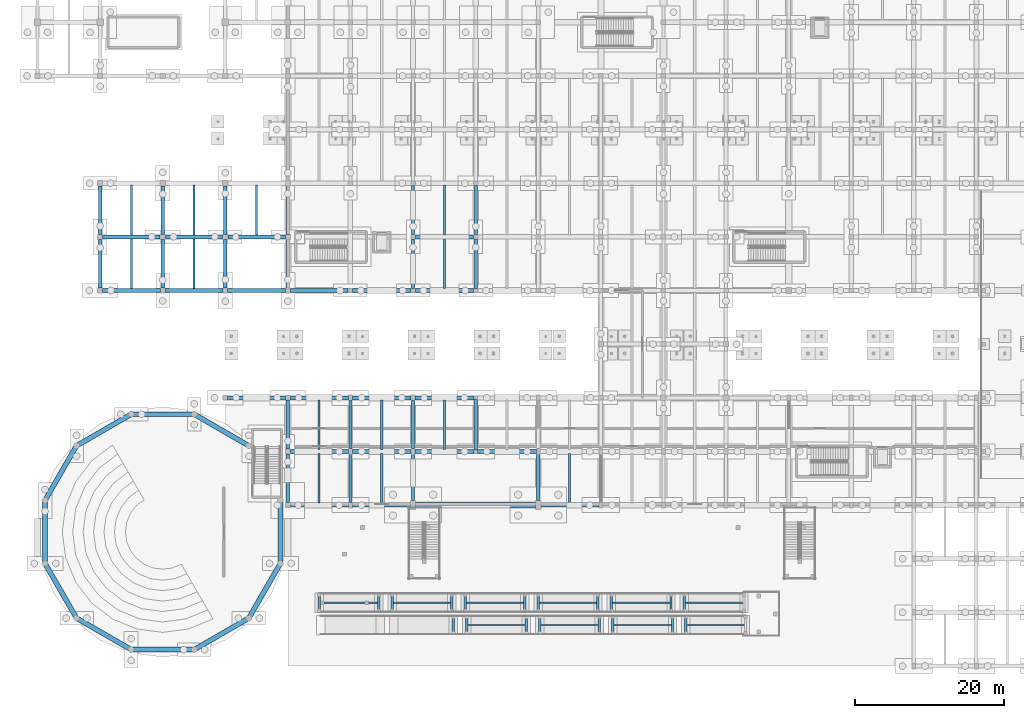
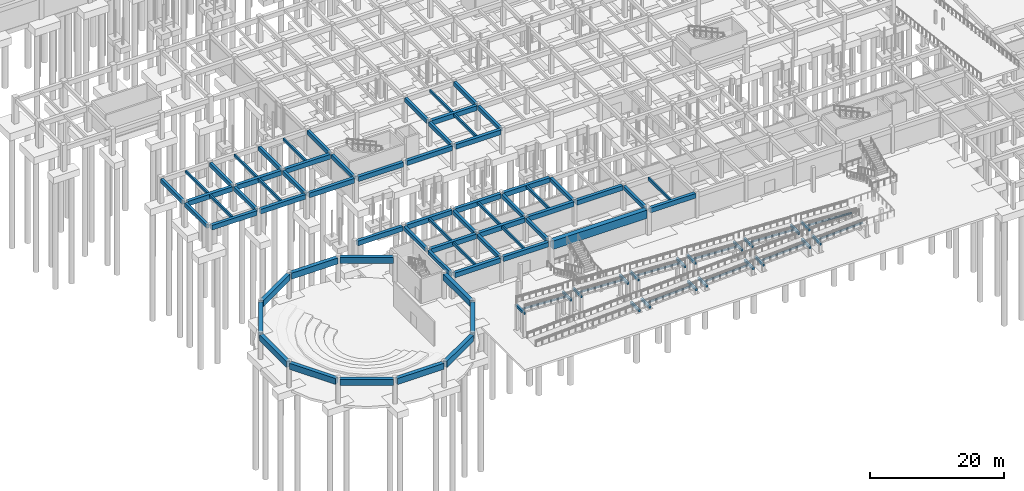
# One storey, part 51 of 80: 95 beams.
"""IFC4 building model written with IfcOpenShell, lengths in metres."""

from ifc_helpers import new_model, si_unit, direction, frame, origin, origin_2d, place, context, subcontext, project, spatial, rectangle, i_section, extrude, material, material_profile, profile_set, type_object, element, save


model = new_model("IFC4")

# Units and contexts
model_context = context("Model", 3, precision=1e-05, world=origin(), true_north=direction((0.0, 1.0)))
body_context = subcontext(model_context, "Body", "Model", "MODEL_VIEW")
ifc_project = project(units=[si_unit("LENGTHUNIT", "METRE"), si_unit("AREAUNIT", "SQUARE_METRE"), si_unit("VOLUMEUNIT", "CUBIC_METRE"), si_unit("PLANEANGLEUNIT", "RADIAN"), si_unit("MASSUNIT", "GRAM", prefix="KILO")], contexts=[model_context])

# Site, building, storey
site_placement = place(None, origin())
site = spatial("IfcSite", under=ifc_project, at=site_placement, CompositionType="ELEMENT")
building_placement = place(site_placement, origin())
building = spatial("IfcBuilding", under=site, at=building_placement, Name="Malvenik Polytechnic", CompositionType="ELEMENT")
storey_placement = place(building_placement, frame((0.0, 0.0, -4.800048828125)))
storey = spatial("IfcBuildingStorey", under=building, at=storey_placement, Name="B1", CompositionType="ELEMENT", Elevation=-4.800048828125)

# Beams
ifc_material_1 = material(Name="Concrete C35/45", Category="concrete")
ifc_material_profile_1 = material_profile(ifc_material_1, rectangle(XDim=0.550048828125, YDim=0.85009765625, at=origin_2d()), Name="RC BM 550x850")
ifc_profile_set_1 = profile_set([ifc_material_profile_1], Name="Concrete C35/45")
beam_type_1 = type_object("IfcBeamType", Name="STR-BM-B-01", PredefinedType="BEAM", material=ifc_profile_set_1)
beam_1_placement = place(storey_placement, frame((33.923095703125, 21.60009765625, 4.074951171875), z_axis=(1.0, 0.0, 0.0), x_axis=(0.0, 1.0, 0.0)))
element("IfcBeam", 1, at=beam_1_placement, inside=storey, type_object=beam_type_1, Name="Primary Beam B-01 B1 #10", PredefinedType="BEAM", context=body_context, shape_type="SweptSolid", body=[
    extrude(rectangle(XDim=0.550048828125, YDim=0.85009765625, at=origin_2d()), origin(), (0.0, 0.0, 1.0), 7.828857421875),
])
for number, where, z_axis, x_axis, name in (
    (2, (42.248046875, 21.60009765625, 4.074951171875), (1.0, 0.0, 0.0), (0.0, 1.0, 0.0), "Primary Beam B-01 B1 #11"),
    (3, (67.548095703125, 21.60009765625, 4.074951171875), (1.0, 0.0, 0.0), (0.0, 1.0, 0.0), "Primary Beam B-01 B1 #12"),
):
    element("IfcBeam", number, at=place(storey_placement, frame(where, z_axis=z_axis, x_axis=x_axis)), inside=storey, type_object=beam_type_1, Name=name, PredefinedType="BEAM", context=body_context, shape_type="SweptSolid", body=[
        extrude(rectangle(XDim=0.550048828125, YDim=0.85009765625, at=origin_2d()), origin(), (0.0, 0.0, 1.0), 7.803955078125),
    ])
beam_2_placement = place(storey_placement, frame((33.923095703125, 28.800048828125, 4.074951171875), z_axis=(1.0, 0.0, 0.0), x_axis=(0.0, 1.0, 0.0)))
element("IfcBeam", 4, at=beam_2_placement, inside=storey, type_object=beam_type_1, Name="Primary Beam B-01 B1 #20", PredefinedType="BEAM", context=body_context, shape_type="SweptSolid", body=[
    extrude(rectangle(XDim=0.550048828125, YDim=0.85009765625, at=origin_2d()), origin(), (0.0, 0.0, 1.0), 7.828857421875),
])
for number, where, z_axis, x_axis, name in (
    (5, (42.248046875, 28.800048828125, 4.074951171875), (1.0, 0.0, 0.0), (0.0, 1.0, 0.0), "Primary Beam B-01 B1 #21"),
    (6, (50.64794921875, 28.800048828125, 4.074951171875), (1.0, 0.0, 0.0), (0.0, 1.0, 0.0), "Primary Beam B-01 B1 #22"),
):
    element("IfcBeam", number, at=place(storey_placement, frame(where, z_axis=z_axis, x_axis=x_axis)), inside=storey, type_object=beam_type_1, Name=name, PredefinedType="BEAM", context=body_context, shape_type="SweptSolid", body=[
        extrude(rectangle(XDim=0.550048828125, YDim=0.85009765625, at=origin_2d()), origin(), (0.0, 0.0, 1.0), 7.904052734375),
    ])
beam_3_placement = place(storey_placement, frame((59.048095703125, 28.800048828125, 4.074951171875), z_axis=(1.0, 0.0, 0.0), x_axis=(0.0, 1.0, 0.0)))
element("IfcBeam", 7, at=beam_3_placement, inside=storey, type_object=beam_type_1, Name="Primary Beam B-01 B1 #23", PredefinedType="BEAM", context=body_context, shape_type="SweptSolid", body=[
    extrude(rectangle(XDim=0.550048828125, YDim=0.85009765625, at=origin_2d()), origin(), (0.0, 0.0, 1.0), 7.90380859375),
])
beam_4_placement = place(storey_placement, frame((25.52294921875, 36.0, 4.074951171875), z_axis=(1.0, 0.0, 0.0), x_axis=(0.0, 1.0, 0.0)))
element("IfcBeam", 8, at=beam_4_placement, inside=storey, type_object=beam_type_1, Name="Primary Beam B-01 B1 #35", PredefinedType="BEAM", context=body_context, shape_type="SweptSolid", body=[
    extrude(rectangle(XDim=0.550048828125, YDim=0.85009765625, at=origin_2d()), origin(), (0.0, 0.0, 1.0), 7.754150390625),
])
beam_5_placement = place(storey_placement, frame((33.923095703125, 36.0, 4.074951171875), z_axis=(1.0, 0.0, 0.0), x_axis=(0.0, 1.0, 0.0)))
element("IfcBeam", 9, at=beam_5_placement, inside=storey, type_object=beam_type_1, Name="Primary Beam B-01 B1 #36", PredefinedType="BEAM", context=body_context, shape_type="SweptSolid", body=[
    extrude(rectangle(XDim=0.550048828125, YDim=0.85009765625, at=origin_2d()), origin(), (0.0, 0.0, 1.0), 7.828857421875),
])
for number, where, z_axis, x_axis, name in (
    (10, (42.248046875, 36.0, 4.074951171875), (1.0, 0.0, 0.0), (0.0, 1.0, 0.0), "Primary Beam B-01 B1 #37"),
    (11, (50.64794921875, 36.0, 4.074951171875), (1.0, 0.0, 0.0), (0.0, 1.0, 0.0), "Primary Beam B-01 B1 #38"),
):
    element("IfcBeam", number, at=place(storey_placement, frame(where, z_axis=z_axis, x_axis=x_axis)), inside=storey, type_object=beam_type_1, Name=name, PredefinedType="BEAM", context=body_context, shape_type="SweptSolid", body=[
        extrude(rectangle(XDim=0.550048828125, YDim=0.85009765625, at=origin_2d()), origin(), (0.0, 0.0, 1.0), 7.904052734375),
    ])
beam_6_placement = place(storey_placement, frame((8.722900390625, 50.39990234375, 4.074951171875), z_axis=(1.0, 0.0, 0.0), x_axis=(0.0, 1.0, 0.0)))
element("IfcBeam", 12, at=beam_6_placement, inside=storey, type_object=beam_type_1, Name="Primary Beam B-01 B1 #55", PredefinedType="BEAM", context=body_context, shape_type="SweptSolid", body=[
    extrude(rectangle(XDim=0.550048828125, YDim=0.85009765625, at=origin_2d()), origin(), (0.0, 0.0, 1.0), 7.754150390625),
])
beam_7_placement = place(storey_placement, frame((17.123046875, 50.39990234375, 4.074951171875), z_axis=(1.0, 0.0, 0.0), x_axis=(0.0, 1.0, 0.0)))
element("IfcBeam", 13, at=beam_7_placement, inside=storey, type_object=beam_type_1, Name="Primary Beam B-01 B1 #56", PredefinedType="BEAM", context=body_context, shape_type="SweptSolid", body=[
    extrude(rectangle(XDim=0.550048828125, YDim=0.85009765625, at=origin_2d()), origin(), (0.0, 0.0, 1.0), 7.75390625),
])
beam_8_placement = place(storey_placement, frame((25.52294921875, 50.39990234375, 4.074951171875), z_axis=(1.0, 0.0, 0.0), x_axis=(0.0, 1.0, 0.0)))
element("IfcBeam", 14, at=beam_8_placement, inside=storey, type_object=beam_type_1, Name="Primary Beam B-01 B1 #57", PredefinedType="BEAM", context=body_context, shape_type="SweptSolid", body=[
    extrude(rectangle(XDim=0.550048828125, YDim=0.85009765625, at=origin_2d()), origin(), (0.0, 0.0, 1.0), 7.754150390625),
])
beam_9_placement = place(storey_placement, frame((33.923095703125, 50.39990234375, 4.074951171875), z_axis=(1.0, 0.0, 0.0), x_axis=(0.0, 1.0, 0.0)))
element("IfcBeam", 15, at=beam_9_placement, inside=storey, type_object=beam_type_1, Name="Primary Beam B-01 B1 #58", PredefinedType="BEAM", context=body_context, shape_type="SweptSolid", body=[
    extrude(rectangle(XDim=0.550048828125, YDim=0.85009765625, at=origin_2d()), origin(), (0.0, 0.0, 1.0), 7.77880859375),
])
for number, where, z_axis, x_axis, name in (
    (16, (42.298095703125, 50.39990234375, 4.074951171875), (1.0, 0.0, 0.0), (0.0, 1.0, 0.0), "Primary Beam B-01 B1 #59"),
    (17, (50.697998046875, 50.39990234375, 4.074951171875), (1.0, 0.0, 0.0), (0.0, 1.0, 0.0), "Primary Beam B-01 B1 #60"),
):
    element("IfcBeam", number, at=place(storey_placement, frame(where, z_axis=z_axis, x_axis=x_axis)), inside=storey, type_object=beam_type_1, Name=name, PredefinedType="BEAM", context=body_context, shape_type="SweptSolid", body=[
        extrude(rectangle(XDim=0.550048828125, YDim=0.85009765625, at=origin_2d()), origin(), (0.0, 0.0, 1.0), 7.803955078125),
    ])
beam_10_placement = place(storey_placement, frame((8.748046875, 57.60009765625, 4.074951171875), z_axis=(1.0, 0.0, 0.0), x_axis=(0.0, 1.0, 0.0)))
element("IfcBeam", 18, at=beam_10_placement, inside=storey, type_object=beam_type_1, Name="Primary Beam B-01 B1 #69", PredefinedType="BEAM", context=body_context, shape_type="SweptSolid", body=[
    extrude(rectangle(XDim=0.550048828125, YDim=0.85009765625, at=origin_2d()), origin(), (0.0, 0.0, 1.0), 7.703857421875),
])
beam_11_placement = place(storey_placement, frame((17.14794921875, 57.60009765625, 4.074951171875), z_axis=(1.0, 0.0, 0.0), x_axis=(0.0, 1.0, 0.0)))
element("IfcBeam", 19, at=beam_11_placement, inside=storey, type_object=beam_type_1, Name="Primary Beam B-01 B1 #70", PredefinedType="BEAM", context=body_context, shape_type="SweptSolid", body=[
    extrude(rectangle(XDim=0.550048828125, YDim=0.85009765625, at=origin_2d()), origin(), (0.0, 0.0, 1.0), 7.7041015625),
])
beam_12_placement = place(storey_placement, frame((25.548095703125, 57.60009765625, 4.074951171875), z_axis=(1.0, 0.0, 0.0), x_axis=(0.0, 1.0, 0.0)))
element("IfcBeam", 20, at=beam_12_placement, inside=storey, type_object=beam_type_1, Name="Primary Beam B-01 B1 #71", PredefinedType="BEAM", context=body_context, shape_type="SweptSolid", body=[
    extrude(rectangle(XDim=0.550048828125, YDim=0.85009765625, at=origin_2d()), origin(), (0.0, 0.0, 1.0), 7.703857421875),
])
beam_13_placement = place(storey_placement, frame((50.697998046875, 57.60009765625, 4.074951171875), z_axis=(1.0, 0.0, 0.0), x_axis=(0.0, 1.0, 0.0)))
element("IfcBeam", 21, at=beam_13_placement, inside=storey, type_object=beam_type_1, Name="Primary Beam B-01 B1 #72", PredefinedType="BEAM", context=body_context, shape_type="SweptSolid", body=[
    extrude(rectangle(XDim=0.550048828125, YDim=0.85009765625, at=origin_2d()), origin(), (0.0, 0.0, 1.0), 7.803955078125),
])
ifc_material_profile_2 = material_profile(ifc_material_1, rectangle(XDim=0.449951171875, YDim=0.699951171875, at=origin_2d()), Name="RC BM 450x700")
ifc_profile_set_2 = profile_set([ifc_material_profile_2], Name="Concrete C35/45")
beam_type_2 = type_object("IfcBeamType", Name="STR-BM-B-04", PredefinedType="BEAM", material=ifc_profile_set_2)
beam_14_placement = place(storey_placement, frame((8.39990234375, 50.722900390625, 4.150146484375), z_axis=(0.0, 1.0, 0.0), x_axis=(-1.0, 0.0, 0.0)))
element("IfcBeam", 22, at=beam_14_placement, inside=storey, type_object=beam_type_2, Name="Transverse Beam B-04 B1 #220", PredefinedType="BEAM", context=body_context, shape_type="SweptSolid", body=[
    extrude(rectangle(XDim=0.449951171875, YDim=0.699951171875, at=origin_2d()), origin(), (0.0, 0.0, 1.0), 6.529052734375),
])
beam_15_placement = place(storey_placement, frame((8.39990234375, 57.947998046875, 4.150146484375), z_axis=(0.0, 1.0, 0.0), x_axis=(-1.0, 0.0, 0.0)))
element("IfcBeam", 23, at=beam_15_placement, inside=storey, type_object=beam_type_2, Name="Transverse Beam B-04 B1 #221", PredefinedType="BEAM", context=body_context, shape_type="SweptSolid", body=[
    extrude(rectangle(XDim=0.449951171875, YDim=0.699951171875, at=origin_2d()), origin(), (0.0, 0.0, 1.0), 6.50390625),
])
beam_16_placement = place(storey_placement, frame((16.800048828125, 50.722900390625, 4.150146484375), z_axis=(0.0, 1.0, 0.0), x_axis=(-1.0, 0.0, 0.0)))
element("IfcBeam", 24, at=beam_16_placement, inside=storey, type_object=beam_type_2, Name="Transverse Beam B-04 B1 #226", PredefinedType="BEAM", context=body_context, shape_type="SweptSolid", body=[
    extrude(rectangle(XDim=0.449951171875, YDim=0.699951171875, at=origin_2d()), origin(), (0.0, 0.0, 1.0), 6.529052734375),
])
beam_17_placement = place(storey_placement, frame((16.800048828125, 57.947998046875, 4.150146484375), z_axis=(0.0, 1.0, 0.0), x_axis=(-1.0, 0.0, 0.0)))
element("IfcBeam", 25, at=beam_17_placement, inside=storey, type_object=beam_type_2, Name="Transverse Beam B-04 B1 #227", PredefinedType="BEAM", context=body_context, shape_type="SweptSolid", body=[
    extrude(rectangle(XDim=0.449951171875, YDim=0.699951171875, at=origin_2d()), origin(), (0.0, 0.0, 1.0), 6.50390625),
])
beam_18_placement = place(storey_placement, frame((25.199951171875, 50.722900390625, 4.150146484375), z_axis=(0.0, 1.0, 0.0), x_axis=(-1.0, 0.0, 0.0)))
element("IfcBeam", 26, at=beam_18_placement, inside=storey, type_object=beam_type_2, Name="Transverse Beam B-04 B1 #228", PredefinedType="BEAM", context=body_context, shape_type="SweptSolid", body=[
    extrude(rectangle(XDim=0.449951171875, YDim=0.699951171875, at=origin_2d()), origin(), (0.0, 0.0, 1.0), 6.529052734375),
])
beam_19_placement = place(storey_placement, frame((25.199951171875, 57.947998046875, 4.150146484375), z_axis=(0.0, 1.0, 0.0), x_axis=(-1.0, 0.0, 0.0)))
element("IfcBeam", 27, at=beam_19_placement, inside=storey, type_object=beam_type_2, Name="Transverse Beam B-04 B1 #229", PredefinedType="BEAM", context=body_context, shape_type="SweptSolid", body=[
    extrude(rectangle(XDim=0.449951171875, YDim=0.699951171875, at=origin_2d()), origin(), (0.0, 0.0, 1.0), 6.50390625),
])
for number, where, z_axis, x_axis, name in (
    (28, (33.60009765625, 21.923095703125, 4.150146484375), (0.0, 1.0, 0.0), (-1.0, 0.0, 0.0), "Transverse Beam B-04 B1 #234"),
    (29, (33.60009765625, 29.123046875, 4.150146484375), (0.0, 1.0, 0.0), (-1.0, 0.0, 0.0), "Transverse Beam B-04 B1 #235"),
):
    element("IfcBeam", number, at=place(storey_placement, frame(where, z_axis=z_axis, x_axis=x_axis)), inside=storey, type_object=beam_type_2, Name=name, PredefinedType="BEAM", context=body_context, shape_type="SweptSolid", body=[
        extrude(rectangle(XDim=0.449951171875, YDim=0.699951171875, at=origin_2d()), origin(), (0.0, 0.0, 1.0), 6.553955078125),
    ])
beam_20_placement = place(storey_placement, frame((33.60009765625, 50.722900390625, 4.150146484375), z_axis=(0.0, 1.0, 0.0), x_axis=(-1.0, 0.0, 0.0)))
element("IfcBeam", 30, at=beam_20_placement, inside=storey, type_object=beam_type_2, Name="Transverse Beam B-04 B1 #236", PredefinedType="BEAM", context=body_context, shape_type="SweptSolid", body=[
    extrude(rectangle(XDim=0.449951171875, YDim=0.699951171875, at=origin_2d()), origin(), (0.0, 0.0, 1.0), 6.529052734375),
])
beam_21_placement = place(storey_placement, frame((33.60009765625, 57.947998046875, 4.150146484375), z_axis=(0.0, 1.0, 0.0), x_axis=(-1.0, 0.0, 0.0)))
element("IfcBeam", 31, at=beam_21_placement, inside=storey, type_object=beam_type_2, Name="Transverse Beam B-04 B1 #237", PredefinedType="BEAM", context=body_context, shape_type="SweptSolid", body=[
    extrude(rectangle(XDim=0.449951171875, YDim=0.699951171875, at=origin_2d()), origin(), (0.0, 0.0, 1.0), 6.50390625),
])
beam_22_placement = place(storey_placement, frame((42.0, 21.972900390625, 4.150146484375), z_axis=(0.0, 1.0, 0.0), x_axis=(-1.0, 0.0, 0.0)))
element("IfcBeam", 32, at=beam_22_placement, inside=storey, type_object=beam_type_2, Name="Transverse Beam B-04 B1 #244", PredefinedType="BEAM", context=body_context, shape_type="SweptSolid", body=[
    extrude(rectangle(XDim=0.449951171875, YDim=0.699951171875, at=origin_2d()), origin(), (0.0, 0.0, 1.0), 6.4541015625),
])
beam_23_placement = place(storey_placement, frame((42.0, 29.173095703125, 4.150146484375), z_axis=(0.0, 1.0, 0.0), x_axis=(-1.0, 0.0, 0.0)))
element("IfcBeam", 33, at=beam_23_placement, inside=storey, type_object=beam_type_2, Name="Transverse Beam B-04 B1 #245", PredefinedType="BEAM", context=body_context, shape_type="SweptSolid", body=[
    extrude(rectangle(XDim=0.449951171875, YDim=0.699951171875, at=origin_2d()), origin(), (0.0, 0.0, 1.0), 6.453857421875),
])
beam_24_placement = place(storey_placement, frame((50.39990234375, 22.197998046875, 4.150146484375), z_axis=(0.0, 1.0, 0.0), x_axis=(-1.0, 0.0, 0.0)))
element("IfcBeam", 34, at=beam_24_placement, inside=storey, type_object=beam_type_2, Name="Transverse Beam B-04 B1 #252", PredefinedType="BEAM", context=body_context, shape_type="SweptSolid", body=[
    extrude(rectangle(XDim=0.449951171875, YDim=0.699951171875, at=origin_2d()), origin(), (0.0, 0.0, 1.0), 6.22900390625),
])
beam_25_placement = place(storey_placement, frame((50.39990234375, 29.173095703125, 4.150146484375), z_axis=(0.0, 1.0, 0.0), x_axis=(-1.0, 0.0, 0.0)))
element("IfcBeam", 35, at=beam_25_placement, inside=storey, type_object=beam_type_2, Name="Transverse Beam B-04 B1 #253", PredefinedType="BEAM", context=body_context, shape_type="SweptSolid", body=[
    extrude(rectangle(XDim=0.449951171875, YDim=0.699951171875, at=origin_2d()), origin(), (0.0, 0.0, 1.0), 6.453857421875),
])
for number, where, z_axis, x_axis, name in (
    (36, (50.39990234375, 50.697998046875, 4.150146484375), (0.0, 1.0, 0.0), (-1.0, 0.0, 0.0), "Transverse Beam B-04 B1 #254"),
    (37, (50.39990234375, 57.89794921875, 4.150146484375), (0.0, 1.0, 0.0), (-1.0, 0.0, 0.0), "Transverse Beam B-04 B1 #255"),
):
    element("IfcBeam", number, at=place(storey_placement, frame(where, z_axis=z_axis, x_axis=x_axis)), inside=storey, type_object=beam_type_2, Name=name, PredefinedType="BEAM", context=body_context, shape_type="SweptSolid", body=[
        extrude(rectangle(XDim=0.449951171875, YDim=0.699951171875, at=origin_2d()), origin(), (0.0, 0.0, 1.0), 6.60400390625),
    ])
beam_26_placement = place(storey_placement, frame((58.800048828125, 29.048095703125, 4.150146484375), z_axis=(0.0, 1.0, 0.0), x_axis=(-1.0, 0.0, 0.0)))
element("IfcBeam", 38, at=beam_26_placement, inside=storey, type_object=beam_type_2, Name="Transverse Beam B-04 B1 #262", PredefinedType="BEAM", context=body_context, shape_type="SweptSolid", body=[
    extrude(rectangle(XDim=0.449951171875, YDim=0.699951171875, at=origin_2d()), origin(), (0.0, 0.0, 1.0), 6.703857421875),
])
for number, where, z_axis, x_axis, name in (
    (39, (58.800048828125, 50.697998046875, 4.150146484375), (0.0, 1.0, 0.0), (-1.0, 0.0, 0.0), "Transverse Beam B-04 B1 #263"),
    (40, (58.800048828125, 57.89794921875, 4.150146484375), (0.0, 1.0, 0.0), (-1.0, 0.0, 0.0), "Transverse Beam B-04 B1 #264"),
):
    element("IfcBeam", number, at=place(storey_placement, frame(where, z_axis=z_axis, x_axis=x_axis)), inside=storey, type_object=beam_type_2, Name=name, PredefinedType="BEAM", context=body_context, shape_type="SweptSolid", body=[
        extrude(rectangle(XDim=0.449951171875, YDim=0.699951171875, at=origin_2d()), origin(), (0.0, 0.0, 1.0), 6.60400390625),
    ])
beam_27_placement = place(storey_placement, frame((67.199951171875, 22.197998046875, 4.150146484375), z_axis=(0.0, 1.0, 0.0), x_axis=(-1.0, 0.0, 0.0)))
element("IfcBeam", 41, at=beam_27_placement, inside=storey, type_object=beam_type_2, Name="Transverse Beam B-04 B1 #269", PredefinedType="BEAM", context=body_context, shape_type="SweptSolid", body=[
    extrude(rectangle(XDim=0.449951171875, YDim=0.699951171875, at=origin_2d()), origin(), (0.0, 0.0, 1.0), 6.22900390625),
])
ifc_material_2 = material(Name="Concrete C30/37", Category="concrete")
ifc_material_profile_3 = material_profile(ifc_material_2, rectangle(XDim=0.300048828125, YDim=0.449951171875, at=origin_2d()), Name="RC BM 300x450")
ifc_profile_set_3 = profile_set([ifc_material_profile_3], Name="Concrete C30/37")
beam_type_3 = type_object("IfcBeamType", Name="STR-BM-B-10", PredefinedType="BEAM", material=ifc_profile_set_3)
for number, where, z_axis, x_axis, name in (
    (42, (55.800048828125, 4.25, 0.3701171875), (0.0, 1.0, 0.0), (-1.0, 0.0, 0.0), "Forecourt Ramp Support Beam RB-04-3"),
    (43, (57.60009765625, 4.25, 0.3701171875), (0.0, 1.0, 0.0), (-1.0, 0.0, 0.0), "Forecourt Ramp Support Beam RB-04-4"),
    (44, (65.60009765625, 4.25, 0.77001953125), (0.0, 1.0, 0.0), (-1.0, 0.0, 0.0), "Forecourt Ramp Support Beam RB-04-5"),
    (45, (67.39990234375, 4.25, 0.77001953125), (0.0, 1.0, 0.0), (-1.0, 0.0, 0.0), "Forecourt Ramp Support Beam RB-04-6"),
    (46, (75.39990234375, 4.25, 1.170166015625), (0.0, 1.0, 0.0), (-1.0, 0.0, 0.0), "Forecourt Ramp Support Beam RB-04-7"),
    (47, (77.199951171875, 4.25, 1.170166015625), (0.0, 1.0, 0.0), (-1.0, 0.0, 0.0), "Forecourt Ramp Support Beam RB-04-8"),
    (48, (85.199951171875, 4.25, 1.570068359375), (0.0, 1.0, 0.0), (-1.0, 0.0, 0.0), "Forecourt Ramp Support Beam RB-04-9"),
    (49, (87.0, 4.25, 1.570068359375), (0.0, 1.0, 0.0), (-1.0, 0.0, 0.0), "Forecourt Ramp Support Beam RB-04-10"),
    (50, (86.800048828125, 7.25, 2.3701171875), (0.0, 1.0, 0.0), (-1.0, 0.0, 0.0), "Forecourt Ramp Support Beam RB-05-1"),
    (51, (85.0, 7.25, 2.3701171875), (0.0, 1.0, 0.0), (-1.0, 0.0, 0.0), "Forecourt Ramp Support Beam RB-05-2"),
    (52, (77.0, 7.25, 2.77001953125), (0.0, 1.0, 0.0), (-1.0, 0.0, 0.0), "Forecourt Ramp Support Beam RB-05-3"),
    (53, (75.199951171875, 7.25, 2.77001953125), (0.0, 1.0, 0.0), (-1.0, 0.0, 0.0), "Forecourt Ramp Support Beam RB-05-4"),
    (54, (67.199951171875, 7.25, 3.170166015625), (0.0, 1.0, 0.0), (-1.0, 0.0, 0.0), "Forecourt Ramp Support Beam RB-05-5"),
    (55, (65.39990234375, 7.25, 3.170166015625), (0.0, 1.0, 0.0), (-1.0, 0.0, 0.0), "Forecourt Ramp Support Beam RB-05-6"),
    (56, (57.39990234375, 7.25, 3.570068359375), (0.0, 1.0, 0.0), (-1.0, 0.0, 0.0), "Forecourt Ramp Support Beam RB-05-7"),
    (57, (55.60009765625, 7.25, 3.570068359375), (0.0, 1.0, 0.0), (-1.0, 0.0, 0.0), "Forecourt Ramp Support Beam RB-05-8"),
    (58, (47.60009765625, 7.25, 3.969970703125), (0.0, 1.0, 0.0), (-1.0, 0.0, 0.0), "Forecourt Ramp Support Beam RB-05-9"),
    (59, (45.800048828125, 7.25, 3.969970703125), (0.0, 1.0, 0.0), (-1.0, 0.0, 0.0), "Forecourt Ramp Support Beam RB-05-10"),
    (60, (37.800048828125, 7.25, 4.3701171875), (0.0, 1.0, 0.0), (-1.0, 0.0, 0.0), "Forecourt Ramp Support Beam RB-05-11"),
):
    element("IfcBeam", number, at=place(storey_placement, frame(where, z_axis=z_axis, x_axis=x_axis)), inside=storey, type_object=beam_type_3, Name=name, PredefinedType="BEAM", context=body_context, shape_type="SweptSolid", body=[
        extrude(rectangle(XDim=0.300048828125, YDim=0.449951171875, at=origin_2d()), origin(), (0.0, 0.0, 1.0), 2.5),
    ])
ifc_material_profile_4 = material_profile(ifc_material_2, rectangle(XDim=0.280029296875, YDim=0.47998046875, at=origin_2d()), Name="RC JST 280x480")
ifc_profile_set_4 = profile_set([ifc_material_profile_4], Name="Concrete C30/37")
beam_type_4 = type_object("IfcBeamType", Name="STR-BM-J-01", PredefinedType="JOIST", material=ifc_profile_set_4)
beam_28_placement = place(storey_placement, frame((12.60009765625, 50.673095703125, 4.260009765625), z_axis=(0.0, 1.0, 0.0), x_axis=(-1.0, 0.0, 0.0)))
element("IfcBeam", 61, at=beam_28_placement, inside=storey, type_object=beam_type_4, Name="Secondary Rib Joist J-01 B1 #411", PredefinedType="JOIST", context=body_context, shape_type="SweptSolid", body=[
    extrude(rectangle(XDim=0.280029296875, YDim=0.47998046875, at=origin_2d()), origin(), (0.0, 0.0, 1.0), 6.65380859375),
])
beam_29_placement = place(storey_placement, frame((12.60009765625, 57.873046875, 4.260009765625), z_axis=(0.0, 1.0, 0.0), x_axis=(-1.0, 0.0, 0.0)))
element("IfcBeam", 62, at=beam_29_placement, inside=storey, type_object=beam_type_4, Name="Secondary Rib Joist J-01 B1 #412", PredefinedType="JOIST", context=body_context, shape_type="SweptSolid", body=[
    extrude(rectangle(XDim=0.280029296875, YDim=0.47998046875, at=origin_2d()), origin(), (0.0, 0.0, 1.0), 6.654052734375),
])
beam_30_placement = place(storey_placement, frame((21.0, 50.673095703125, 4.260009765625), z_axis=(0.0, 1.0, 0.0), x_axis=(-1.0, 0.0, 0.0)))
element("IfcBeam", 63, at=beam_30_placement, inside=storey, type_object=beam_type_4, Name="Secondary Rib Joist J-01 B1 #413", PredefinedType="JOIST", context=body_context, shape_type="SweptSolid", body=[
    extrude(rectangle(XDim=0.280029296875, YDim=0.47998046875, at=origin_2d()), origin(), (0.0, 0.0, 1.0), 6.65380859375),
])
for number, where, z_axis, x_axis, name in (
    (64, (21.0, 57.873046875, 4.260009765625), (0.0, 1.0, 0.0), (-1.0, 0.0, 0.0), "Secondary Rib Joist J-01 B1 #414"),
    (65, (29.39990234375, 57.873046875, 4.260009765625), (0.0, 1.0, 0.0), (-1.0, 0.0, 0.0), "Secondary Rib Joist J-01 B1 #415"),
    (66, (37.800048828125, 21.873046875, 4.260009765625), (0.0, 1.0, 0.0), (-1.0, 0.0, 0.0), "Secondary Rib Joist J-01 B1 #418"),
    (67, (37.800048828125, 29.072998046875, 4.260009765625), (0.0, 1.0, 0.0), (-1.0, 0.0, 0.0), "Secondary Rib Joist J-01 B1 #419"),
    (68, (46.199951171875, 21.873046875, 4.260009765625), (0.0, 1.0, 0.0), (-1.0, 0.0, 0.0), "Secondary Rib Joist J-01 B1 #426"),
    (69, (46.199951171875, 29.072998046875, 4.260009765625), (0.0, 1.0, 0.0), (-1.0, 0.0, 0.0), "Secondary Rib Joist J-01 B1 #427"),
    (70, (54.60009765625, 29.072998046875, 4.260009765625), (0.0, 1.0, 0.0), (-1.0, 0.0, 0.0), "Secondary Rib Joist J-01 B1 #434"),
):
    element("IfcBeam", number, at=place(storey_placement, frame(where, z_axis=z_axis, x_axis=x_axis)), inside=storey, type_object=beam_type_4, Name=name, PredefinedType="JOIST", context=body_context, shape_type="SweptSolid", body=[
        extrude(rectangle(XDim=0.280029296875, YDim=0.47998046875, at=origin_2d()), origin(), (0.0, 0.0, 1.0), 6.654052734375),
    ])
beam_31_placement = place(storey_placement, frame((54.60009765625, 50.673095703125, 4.260009765625), z_axis=(0.0, 1.0, 0.0), x_axis=(-1.0, 0.0, 0.0)))
element("IfcBeam", 71, at=beam_31_placement, inside=storey, type_object=beam_type_4, Name="Secondary Rib Joist J-01 B1 #435", PredefinedType="JOIST", context=body_context, shape_type="SweptSolid", body=[
    extrude(rectangle(XDim=0.280029296875, YDim=0.47998046875, at=origin_2d()), origin(), (0.0, 0.0, 1.0), 6.65380859375),
])
for number, where, z_axis, x_axis, name in (
    (72, (54.60009765625, 57.873046875, 4.260009765625), (0.0, 1.0, 0.0), (-1.0, 0.0, 0.0), "Secondary Rib Joist J-01 B1 #436"),
    (73, (71.39990234375, 21.873046875, 4.260009765625), (0.0, 1.0, 0.0), (-1.0, 0.0, 0.0), "Secondary Rib Joist J-01 B1 #448"),
):
    element("IfcBeam", number, at=place(storey_placement, frame(where, z_axis=z_axis, x_axis=x_axis)), inside=storey, type_object=beam_type_4, Name=name, PredefinedType="JOIST", context=body_context, shape_type="SweptSolid", body=[
        extrude(rectangle(XDim=0.280029296875, YDim=0.47998046875, at=origin_2d()), origin(), (0.0, 0.0, 1.0), 6.654052734375),
    ])
ifc_material_3 = material(Name="Concrete C40/50", Category="concrete")
ifc_material_profile_5 = material_profile(ifc_material_3, rectangle(XDim=0.64990234375, YDim=1.10009765625, at=origin_2d()), Name="RC RG 650x1100")
ifc_profile_set_5 = profile_set([ifc_material_profile_5], Name="Concrete C40/50")
beam_type_5 = type_object("IfcBeamType", Name="STR-BM-RG-01", PredefinedType="BEAM", material=ifc_profile_set_5)
beam_32_placement = place(storey_placement, frame((28.1533203125, 29.680908203125, 3.949951171875), z_axis=(-0.865991037897, 0.50005951874, 0.0), x_axis=(-0.50005951874, -0.865991037897, 0.0)))
element("IfcBeam", 74, at=beam_32_placement, inside=storey, type_object=beam_type_5, Name="Rotunda Ring Girder RG-01 B1-2", PredefinedType="BEAM", context=body_context, shape_type="SweptSolid", body=[
    extrude(rectangle(XDim=0.64990234375, YDim=1.10009765625, at=origin_2d()), origin(), (0.0, 0.0, 1.0), 7.9833984375),
])
beam_33_placement = place(storey_placement, frame((20.7919921875, 33.79296875, 3.949951171875), z_axis=(-1.0, 0.0, 0.0), x_axis=(0.0, -1.0, 0.0)))
element("IfcBeam", 75, at=beam_33_placement, inside=storey, type_object=beam_type_5, Name="Rotunda Ring Girder RG-01 B1-3", PredefinedType="BEAM", context=body_context, shape_type="SweptSolid", body=[
    extrude(rectangle(XDim=0.64990234375, YDim=1.10009765625, at=origin_2d()), origin(), (0.0, 0.0, 1.0), 7.98388671875),
])
beam_34_placement = place(storey_placement, frame((12.360107421875, 33.673095703125, 3.949951171875), z_axis=(-0.865983390538, -0.500072762018, 0.0), x_axis=(0.500072762018, -0.865983390538, 0.0)))
element("IfcBeam", 76, at=beam_34_placement, inside=storey, type_object=beam_type_5, Name="Rotunda Ring Girder RG-01 B1-4", PredefinedType="BEAM", context=body_context, shape_type="SweptSolid", body=[
    extrude(rectangle(XDim=0.64990234375, YDim=1.10009765625, at=origin_2d()), origin(), (0.0, 0.0, 1.0), 7.983154296875),
])
beam_35_placement = place(storey_placement, frame((5.118896484375, 29.353271484375, 3.949951171875), z_axis=(-0.50003658433, -0.866004280781, 0.0), x_axis=(0.866004280781, -0.50003658433, 0.0)))
element("IfcBeam", 77, at=beam_35_placement, inside=storey, type_object=beam_type_5, Name="Rotunda Ring Girder RG-01 B1-5", PredefinedType="BEAM", context=body_context, shape_type="SweptSolid", body=[
    extrude(rectangle(XDim=0.64990234375, YDim=1.10009765625, at=origin_2d()), origin(), (0.0, 0.0, 1.0), 7.9833984375),
])
beam_36_placement = place(storey_placement, frame((1.007080078125, 21.991943359375, 3.949951171875), z_axis=(0.0, -1.0, 0.0), x_axis=(1.0, 0.0, 0.0)))
element("IfcBeam", 78, at=beam_36_placement, inside=storey, type_object=beam_type_5, Name="Rotunda Ring Girder RG-01 B1-6", PredefinedType="BEAM", context=body_context, shape_type="SweptSolid", body=[
    extrude(rectangle(XDim=0.64990234375, YDim=1.10009765625, at=origin_2d()), origin(), (0.0, 0.0, 1.0), 7.98388671875),
])
beam_37_placement = place(storey_placement, frame((1.126953125, 13.560302734375, 3.949951171875), z_axis=(0.50003658433, -0.866004280781, 0.0), x_axis=(0.866004280781, 0.50003658433, 0.0)))
element("IfcBeam", 79, at=beam_37_placement, inside=storey, type_object=beam_type_5, Name="Rotunda Ring Girder RG-01 B1-7", PredefinedType="BEAM", context=body_context, shape_type="SweptSolid", body=[
    extrude(rectangle(XDim=0.64990234375, YDim=1.10009765625, at=origin_2d()), origin(), (0.0, 0.0, 1.0), 7.9833984375),
])
beam_38_placement = place(storey_placement, frame((5.44677734375, 6.319091796875, 3.949951171875), z_axis=(0.865983390538, -0.500072762018, 0.0), x_axis=(0.500072762018, 0.865983390538, 0.0)))
element("IfcBeam", 80, at=beam_38_placement, inside=storey, type_object=beam_type_5, Name="Rotunda Ring Girder RG-01 B1-8", PredefinedType="BEAM", context=body_context, shape_type="SweptSolid", body=[
    extrude(rectangle(XDim=0.64990234375, YDim=1.10009765625, at=origin_2d()), origin(), (0.0, 0.0, 1.0), 7.983154296875),
])
beam_39_placement = place(storey_placement, frame((12.80810546875, 2.20703125, 3.949951171875), z_axis=(1.0, 0.0, 0.0), x_axis=(0.0, 1.0, 0.0)))
element("IfcBeam", 81, at=beam_39_placement, inside=storey, type_object=beam_type_5, Name="Rotunda Ring Girder RG-01 B1-9", PredefinedType="BEAM", context=body_context, shape_type="SweptSolid", body=[
    extrude(rectangle(XDim=0.64990234375, YDim=1.10009765625, at=origin_2d()), origin(), (0.0, 0.0, 1.0), 7.98388671875),
])
for number, where, z_axis, x_axis, name in (
    (82, (21.23974609375, 2.326904296875, 3.949951171875), (0.865991037897, 0.50005951874, 0.0), (-0.50005951874, 0.865991037897, 0.0), "Rotunda Ring Girder RG-01 B1-10"),
    (83, (28.48095703125, 6.646728515625, 3.949951171875), (0.50003658433, 0.866004280781, 0.0), (-0.866004280781, 0.50003658433, 0.0), "Rotunda Ring Girder RG-01 B1-11"),
):
    element("IfcBeam", number, at=place(storey_placement, frame(where, z_axis=z_axis, x_axis=x_axis)), inside=storey, type_object=beam_type_5, Name=name, PredefinedType="BEAM", context=body_context, shape_type="SweptSolid", body=[
        extrude(rectangle(XDim=0.64990234375, YDim=1.10009765625, at=origin_2d()), origin(), (0.0, 0.0, 1.0), 7.9833984375),
    ])
beam_40_placement = place(storey_placement, frame((32.593017578125, 14.008056640625, 3.949951171875), z_axis=(0.0, 1.0, 0.0), x_axis=(-1.0, 0.0, 0.0)))
element("IfcBeam", 84, at=beam_40_placement, inside=storey, type_object=beam_type_5, Name="Rotunda Ring Girder RG-01 B1-12", PredefinedType="BEAM", context=body_context, shape_type="SweptSolid", body=[
    extrude(rectangle(XDim=0.64990234375, YDim=1.10009765625, at=origin_2d()), origin(), (0.0, 0.0, 1.0), 7.98388671875),
])
ifc_material_4 = material(Name="Steel S355", Category="steel")
ifc_material_profile_6 = material_profile(ifc_material_4, i_section(OverallWidth=0.14990234375, OverallDepth=0.300048828125, WebThickness=0.007080078125, FlangeThickness=0.0107421875, FilletRadius=0.014892578125, at=origin_2d()), Name="IPE 300")
ifc_profile_set_6 = profile_set([ifc_material_profile_6], Name="Steel S355")
beam_type_6 = type_object("IfcBeamType", Name="STR-BM-SB-09", PredefinedType="JOIST", material=ifc_profile_set_6)
for number, where, z_axis, x_axis, name in (
    (85, (57.60009765625, 5.5, 0.344970703125), (0.998751426607, 0.0, 0.049955859015), (0.0, 1.0, 0.0), "Forecourt Ramp Centre Stringer RB-04-4"),
    (86, (67.39990234375, 5.5, 0.7451171875), (0.998752946874, 0.0, 0.049925455535), (0.0, 1.0, 0.0), "Forecourt Ramp Centre Stringer RB-04-6"),
    (87, (77.199951171875, 5.5, 1.14501953125), (0.998751426607, 0.0, 0.049955859015), (0.0, 1.0, 0.0), "Forecourt Ramp Centre Stringer RB-04-8"),
    (88, (87.0, 5.5, 1.545166015625), (0.998752946874, 0.0, 0.049925455535), (0.0, 1.0, 0.0), "Forecourt Ramp Centre Stringer RB-04-10"),
    (89, (94.800048828125, 8.5, 1.945068359375), (-0.998752946874, 0.0, 0.049925455535), (0.0, -1.0, 0.0), "Forecourt Ramp Centre Stringer RB-05-0"),
    (90, (85.0, 8.5, 2.344970703125), (-0.998751426607, 0.0, 0.049955859015), (0.0, -1.0, 0.0), "Forecourt Ramp Centre Stringer RB-05-2"),
    (91, (75.199951171875, 8.5, 2.7451171875), (-0.998752946874, 0.0, 0.049925455535), (0.0, -1.0, 0.0), "Forecourt Ramp Centre Stringer RB-05-4"),
    (92, (65.39990234375, 8.5, 3.14501953125), (-0.998751426607, 0.0, 0.049955859015), (0.0, -1.0, 0.0), "Forecourt Ramp Centre Stringer RB-05-6"),
    (93, (55.60009765625, 8.5, 3.545166015625), (-0.998752946874, 0.0, 0.049925455535), (0.0, -1.0, 0.0), "Forecourt Ramp Centre Stringer RB-05-8"),
    (94, (45.800048828125, 8.5, 3.945068359375), (-0.998752946874, 0.0, 0.049925455535), (0.0, -1.0, 0.0), "Forecourt Ramp Centre Stringer RB-05-10"),
):
    element("IfcBeam", number, at=place(storey_placement, frame(where, z_axis=z_axis, x_axis=x_axis)), inside=storey, type_object=beam_type_6, Name=name, PredefinedType="JOIST", context=body_context, shape_type="SweptSolid", body=[
        extrude(i_section(OverallWidth=0.14990234375, OverallDepth=0.300048828125, WebThickness=0.007080078125, FlangeThickness=0.0107421875, FilletRadius=0.014892578125, at=origin_2d()), origin(), (0.0, 0.0, 1.0), 8.010009765625),
    ])
ifc_material_profile_7 = material_profile(ifc_material_3, rectangle(XDim=0.800048828125, YDim=1.5, at=origin_2d()), Name="RC TG 800x1500")
ifc_profile_set_7 = profile_set([ifc_material_profile_7], Name="Concrete C40/50")
beam_type_7 = type_object("IfcBeamType", Name="STR-BM-TG-01", PredefinedType="BEAM", material=ifc_profile_set_7)
beam_41_placement = place(storey_placement, frame((50.748046875, 21.60009765625, 3.75), z_axis=(1.0, 0.0, 0.0), x_axis=(0.0, 1.0, 0.0)))
element("IfcBeam", 95, at=beam_41_placement, inside=storey, type_object=beam_type_7, Name="Portal Transfer Girder TG-01 B1", PredefinedType="BEAM", context=body_context, shape_type="SweptSolid", body=[
    extrude(rectangle(XDim=0.800048828125, YDim=1.5, at=origin_2d()), origin(), (0.0, 0.0, 1.0), 16.10400390625),
])

save(model, "model.ifc")
